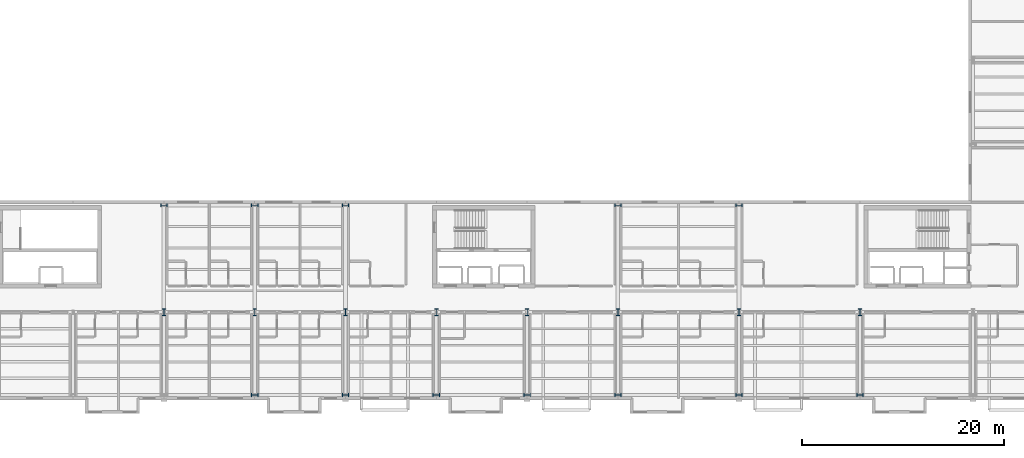
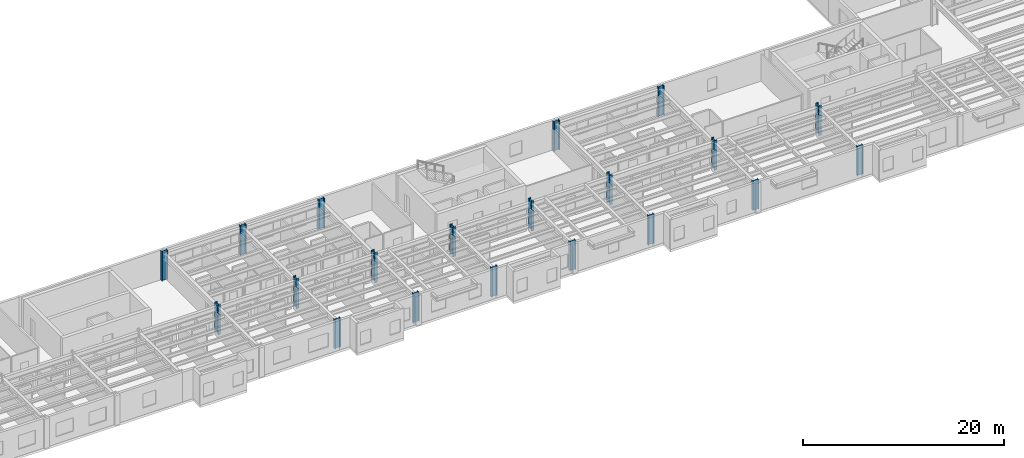
# One storey, part 2 of 27: 20 columns.
"""IFC4 building model written with IfcOpenShell, lengths in metres."""

from ifc_helpers import new_model, si_unit, direction, frame, origin, origin_2d, place, context, subcontext, project, spatial, i_section, extrude, material, material_profile, profile_set, type_object, element, save


model = new_model("IFC4")

# Units and contexts
model_context = context("Model", 3, precision=1e-05, world=origin(), true_north=direction((0.0, 1.0)))
body_context = subcontext(model_context, "Body", "Model", "MODEL_VIEW")
ifc_project = project(units=[si_unit("LENGTHUNIT", "METRE"), si_unit("AREAUNIT", "SQUARE_METRE"), si_unit("VOLUMEUNIT", "CUBIC_METRE"), si_unit("PLANEANGLEUNIT", "RADIAN"), si_unit("MASSUNIT", "GRAM", prefix="KILO")], contexts=[model_context])

# Site, building, storey
site_placement = place(None, origin())
site = spatial("IfcSite", under=ifc_project, at=site_placement, CompositionType="ELEMENT")
building_placement = place(site_placement, origin())
building = spatial("IfcBuilding", under=site, at=building_placement, Name="Sollismere Congress Hotel", CompositionType="ELEMENT")
storey_placement = place(building_placement, frame((0.0, 0.0, 27.0)))
storey = spatial("IfcBuildingStorey", under=building, at=storey_placement, Name="L06", CompositionType="ELEMENT", Elevation=27.0)

# Columns
ifc_material = material(Name="Steel ASTM A992 Grade 50", Category="steel")
ifc_material_profile = material_profile(ifc_material, i_section(OverallWidth=0.3330078125, OverallDepth=0.659912109375, WebThickness=0.0244140625, FlangeThickness=0.0439453125, at=origin_2d()), Name="W24X229")
ifc_profile_set = profile_set([ifc_material_profile], Name="Steel ASTM A992 Grade 50")
column_type = type_object("IfcColumnType", Name="COL-W24", PredefinedType="COLUMN", material=ifc_profile_set)
for number, where, z_axis, x_axis, name in (
    (1, (67.0, 8.199951171875, 0.0), (0.0, 0.0, 1.0), (1.0, 0.0, 0.0), "Column CL-L06-294"),
    (2, (67.0, 18.800048828125, 0.0), (0.0, 0.0, 1.0), (0.0, 1.0, 0.0), "Column CL-L06-305"),
    (3, (76.0, 0.0, 0.0), (0.0, 0.0, 1.0), (0.0, 1.0, 0.0), "Column CL-L06-347"),
    (4, (76.0, 8.199951171875, 0.0), (0.0, 0.0, 1.0), (1.0, 0.0, 0.0), "Column CL-L06-358"),
    (5, (76.0, 18.800048828125, 0.0), (0.0, 0.0, 1.0), (0.0, 1.0, 0.0), "Column CL-L06-369"),
    (6, (85.0, 0.0, 0.0), (0.0, 0.0, 1.0), (0.0, 1.0, 0.0), "Column CL-L06-400"),
    (7, (85.0, 8.199951171875, 0.0), (0.0, 0.0, 1.0), (1.0, 0.0, 0.0), "Column CL-L06-413"),
    (8, (85.0, 18.800048828125, 0.0), (0.0, 0.0, 1.0), (0.0, 1.0, 0.0), "Column CL-L06-426"),
    (9, (94.0, 0.0, 0.0), (0.0, 0.0, 1.0), (0.0, 1.0, 0.0), "Column CL-L06-459"),
    (10, (94.0, 8.199951171875, 0.0), (0.0, 0.0, 1.0), (1.0, 0.0, 0.0), "Column CL-L06-472"),
    (11, (103.0, 0.0, 0.0), (0.0, 0.0, 1.0), (0.0, 1.0, 0.0), "Column CL-L06-517"),
    (12, (103.0, 8.199951171875, 0.0), (0.0, 0.0, 1.0), (1.0, 0.0, 0.0), "Column CL-L06-530"),
    (13, (112.0, 0.0, 0.0), (0.0, 0.0, 1.0), (0.0, 1.0, 0.0), "Column CL-L06-575"),
    (14, (112.0, 8.199951171875, 0.0), (0.0, 0.0, 1.0), (1.0, 0.0, 0.0), "Column CL-L06-588"),
    (15, (112.0, 18.800048828125, 0.0), (0.0, 0.0, 1.0), (0.0, 1.0, 0.0), "Column CL-L06-601"),
    (16, (124.0, 0.0, 0.0), (0.0, 0.0, 1.0), (0.0, 1.0, 0.0), "Column CL-L06-653"),
    (17, (124.0, 8.199951171875, 0.0), (0.0, 0.0, 1.0), (1.0, 0.0, 0.0), "Column CL-L06-666"),
    (18, (124.0, 18.800048828125, 0.0), (0.0, 0.0, 1.0), (0.0, 1.0, 0.0), "Column CL-L06-679"),
    (19, (136.0, 0.0, 0.0), (0.0, 0.0, 1.0), (0.0, 1.0, 0.0), "Column CL-L06-734"),
    (20, (136.0, 8.199951171875, 0.0), (0.0, 0.0, 1.0), (1.0, 0.0, 0.0), "Column CL-L06-747"),
):
    element("IfcColumn", number, at=place(storey_placement, frame(where, z_axis=z_axis, x_axis=x_axis)), inside=storey, type_object=column_type, Name=name, PredefinedType="COLUMN", context=body_context, shape_type="SweptSolid", body=[
        extrude(i_section(OverallWidth=0.3330078125, OverallDepth=0.659912109375, WebThickness=0.0244140625, FlangeThickness=0.0439453125, at=origin_2d()), origin(), (0.0, 0.0, 1.0), 3.60009765625),
    ])

save(model, "model.ifc")
